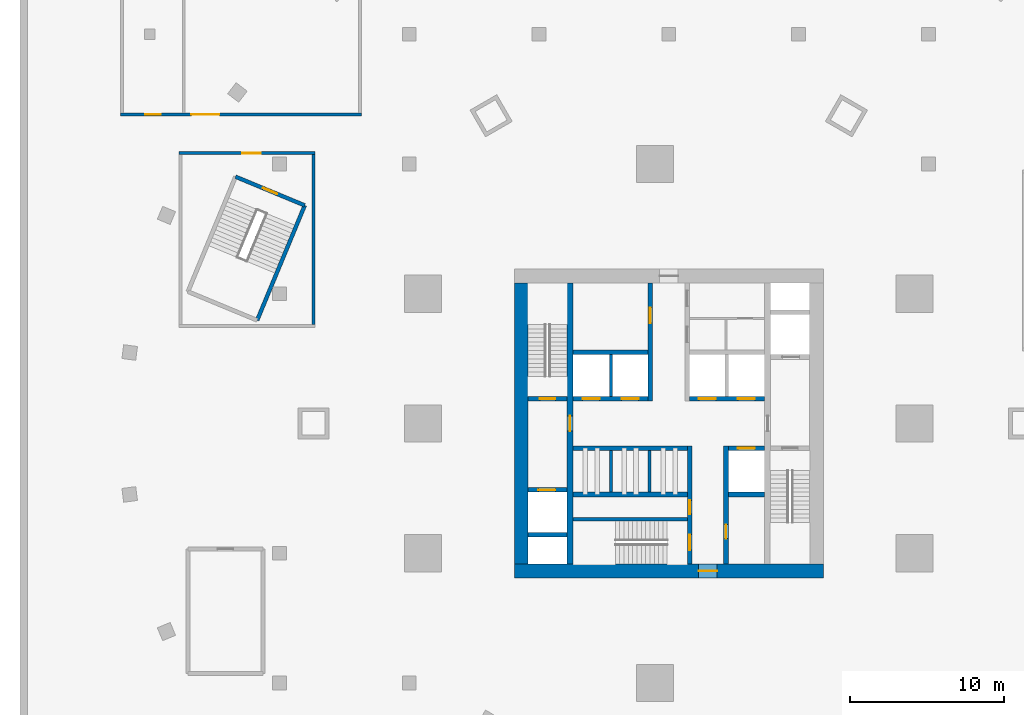
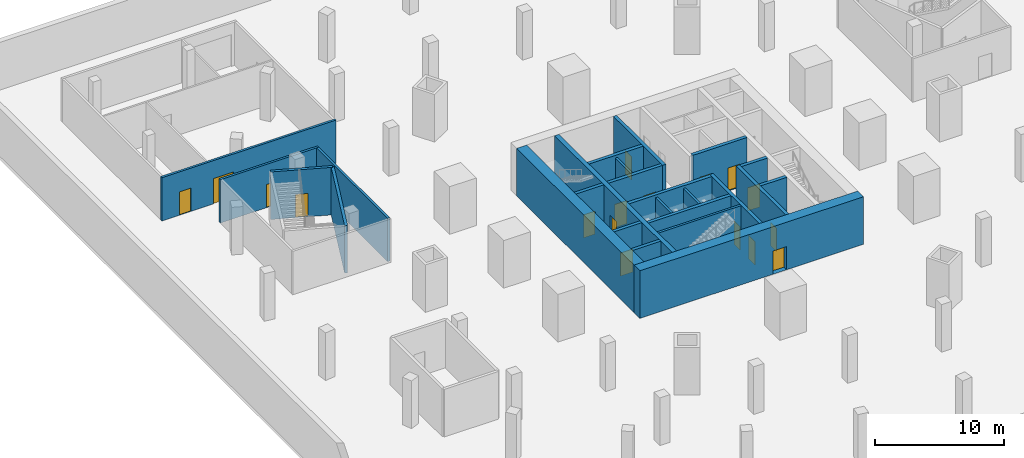
# One storey, part 3 of 9: 25 walls, 17 doors, 17 openings.
"""IFC4 building model written with IfcOpenShell, lengths in metres."""

from ifc_helpers import new_model, si_unit, direction, frame, frame_2d, origin, place, context, subcontext, project, spatial, rectangle, extrude, material, layer, layer_set, type_object, element, fill, save


model = new_model("IFC4")

# Units and contexts
model_context = context("Model", 3, precision=1e-05, world=origin(), true_north=direction((0.0, 1.0)))
body_context = subcontext(model_context, "Body", "Model", "MODEL_VIEW")
ifc_project = project(units=[si_unit("LENGTHUNIT", "METRE"), si_unit("AREAUNIT", "SQUARE_METRE"), si_unit("VOLUMEUNIT", "CUBIC_METRE"), si_unit("PLANEANGLEUNIT", "RADIAN"), si_unit("MASSUNIT", "GRAM", prefix="KILO")], contexts=[model_context])

# Site, building, storey
site_placement = place(None, origin())
site = spatial("IfcSite", under=ifc_project, at=site_placement, CompositionType="ELEMENT")
building_placement = place(site_placement, origin())
building = spatial("IfcBuilding", under=site, at=building_placement, Name="Golbaran Civic Tower", CompositionType="ELEMENT")
storey_placement = place(building_placement, frame((0.0, 0.0, -4.5)))
storey = spatial("IfcBuildingStorey", under=building, at=storey_placement, Name="B1", CompositionType="ELEMENT", Elevation=-4.5)

# Wall, openings, doors
ifc_material_1 = material(Name="Concrete block, fire-rated", Category="concrete")
ifc_layer_1 = layer(ifc_material_1, 0.199951171875, Name="Concrete block, fire-rated")
ifc_layer_set_1 = layer_set([ifc_layer_1], Name="Concrete block, fire-rated")
wall_type_1 = type_object("IfcWallType", Name="BASEMENT ROOM WALL 200", PredefinedType="PARTITIONING", material=ifc_layer_set_1)
wall_1_placement = place(storey_placement, frame((-35.5, 20.0, 0.0), z_axis=(0.0, 0.0, 1.0), x_axis=(1.0, 0.0, 0.0)))
wall_1 = element("IfcWall", 1, at=wall_1_placement, inside=storey, type_object=wall_type_1, Name="Loading Bay wall B1", PredefinedType="PARTITIONING", context=body_context, shape_type="SweptSolid", body=[
    extrude(rectangle(XDim=15.60009765625, YDim=0.199951171875, at=frame_2d((7.800048828125, 0.0))), origin(), (0.0, 0.0, 1.0), 4.10009765625),
])
opening_1_placement = place(wall_1_placement, frame((4.60009765625, 0.0, 0.0)))
opening_1 = element("IfcOpeningElement", 2, at=opening_1_placement, cuts=wall_1, Name="Opening B1.04", PredefinedType="OPENING", context=body_context, shape_type="SweptSolid", body=[
    extrude(rectangle(XDim=1.800048828125, YDim=2.39990234375, at=frame_2d((0.89990234375, 1.199951171875))), frame((0.0, 0.10986328125, 0.0), z_axis=(0.0, -1.0, 0.0), x_axis=(1.0, 0.0, 0.0)), (0.0, 0.0, 1.0), 0.219970703125),
])
opening_2_placement = place(wall_1_placement, frame((1.60009765625, 0.0, 0.0)))
opening_2 = element("IfcOpeningElement", 3, at=opening_2_placement, cuts=wall_1, Name="Opening B1.05", PredefinedType="OPENING", context=body_context, shape_type="SweptSolid", body=[
    extrude(rectangle(XDim=1.0, YDim=2.199951171875, at=frame_2d((0.5, 1.10009765625))), frame((0.0, 0.10986328125, 0.0), z_axis=(0.0, -1.0, 0.0), x_axis=(1.0, 0.0, 0.0)), (0.0, 0.0, 1.0), 0.219970703125),
])
ifc_material_2 = material(Name="Steel door set, fire-rated", Category="steel")
door_type_1 = type_object("IfcDoorType", Name="BASEMENT ROOM DOOR 1000x2200", OperationType="SINGLE_SWING_LEFT", PredefinedType="DOOR", material=ifc_material_2)
door_1_placement = place(opening_2_placement, origin())
door_1 = element("IfcDoor", 4, at=door_1_placement, inside=storey, type_object=door_type_1, Name="Loading Bay Store door B1", OperationType="SINGLE_SWING_LEFT", OverallHeight=2.199951171875, OverallWidth=1.0, PredefinedType="DOOR", context=body_context, shape_type="SweptSolid", body=[
    extrude(rectangle(XDim=1.0, YDim=2.199951171875, at=frame_2d((0.5, 1.10009765625))), frame((0.0, 0.02490234375, 0.0), z_axis=(0.0, -1.0, 0.0), x_axis=(1.0, 0.0, 0.0)), (0.0, 0.0, 1.0), 0.050048828125),
])
fill(opening_2, door_1)
door_type_2 = type_object("IfcDoorType", Name="BASEMENT ROOM DOUBLE DOOR 1800x2400", OperationType="DOUBLE_DOOR_SINGLE_SWING", PredefinedType="DOOR", material=ifc_material_2)
door_2_placement = place(opening_1_placement, origin())
door_2 = element("IfcDoor", 5, at=door_2_placement, inside=storey, type_object=door_type_2, Name="Goods Receiving Room door B1", OperationType="DOUBLE_DOOR_SINGLE_SWING", OverallHeight=2.39990234375, OverallWidth=1.800048828125, PredefinedType="DOOR", context=body_context, shape_type="SweptSolid", body=[
    extrude(rectangle(XDim=1.800048828125, YDim=2.39990234375, at=frame_2d((0.89990234375, 1.199951171875))), frame((0.0, 0.02490234375, 0.0), z_axis=(0.0, -1.0, 0.0), x_axis=(1.0, 0.0, 0.0)), (0.0, 0.0, 1.0), 0.050048828125),
])
fill(opening_1, door_2)

# Wall, opening, door
ifc_material_3 = material(Name="Concrete C50/60", Category="concrete")
ifc_layer_2 = layer(ifc_material_3, 0.39990234375, Name="Concrete C50/60")
ifc_layer_set_2 = layer_set([ifc_layer_2], Name="Concrete C50/60")
wall_type_2 = type_object("IfcWallType", Name="CORE WALL CONCRETE 400", PredefinedType="SOLIDWALL", material=ifc_layer_set_2)
wall_2_placement = place(storey_placement, frame((-6.39990234375, -9.10009765625, 0.0), z_axis=(0.0, 0.0, 1.0), x_axis=(0.0, 1.0, 0.0)))
wall_2 = element("IfcWall", 6, at=wall_2_placement, inside=storey, type_object=wall_type_2, Name="Core wall IW B1", PredefinedType="SOLIDWALL", context=body_context, shape_type="SweptSolid", body=[
    extrude(rectangle(XDim=18.2001953125, YDim=0.39990234375, at=frame_2d((9.10009765625, 0.0))), origin(), (0.0, 0.0, 1.0), 4.5),
])
opening_3_placement = place(wall_2_placement, frame((8.60009765625, 0.0, 0.0)))
opening_3 = element("IfcOpeningElement", 7, at=opening_3_placement, cuts=wall_2, Name="Opening B1.FL1", PredefinedType="OPENING", context=body_context, shape_type="SweptSolid", body=[
    extrude(rectangle(XDim=1.0, YDim=2.199951171875, at=frame_2d((0.5, 1.10009765625))), frame((0.0, 0.2099609375, 0.0), z_axis=(0.0, -1.0, 0.0), x_axis=(1.0, 0.0, 0.0)), (0.0, 0.0, 1.0), 0.419921875),
])
ifc_material_4 = material(Name="Timber door set in steel frame", Category="steel")
door_type_3 = type_object("IfcDoorType", Name="STAIR DOOR 1000x2200", OperationType="SINGLE_SWING_LEFT", PredefinedType="DOOR", material=ifc_material_4)
door_3_placement = place(opening_3_placement, origin())
door_3 = element("IfcDoor", 8, at=door_3_placement, inside=storey, type_object=door_type_3, Name="Fire-fighting lobby FL1 door", OperationType="SINGLE_SWING_LEFT", OverallHeight=2.199951171875, OverallWidth=1.0, PredefinedType="DOOR", context=body_context, shape_type="SweptSolid", body=[
    extrude(rectangle(XDim=1.0, YDim=2.199951171875, at=frame_2d((0.5, 1.10009765625))), frame((0.0, 0.02490234375, 0.0), z_axis=(0.0, -1.0, 0.0), x_axis=(1.0, 0.0, 0.0)), (0.0, 0.0, 1.0), 0.050048828125),
])
fill(opening_3, door_3)

ifc_layer_3 = layer(ifc_material_3, 0.89990234375, Name="Concrete C50/60")
ifc_layer_set_3 = layer_set([ifc_layer_3], Name="Concrete C50/60")
wall_type_3 = type_object("IfcWallType", Name="CORE WALL CONCRETE 900", PredefinedType="SOLIDWALL", material=ifc_layer_set_3)
wall_3_placement = place(storey_placement, frame((10.0, -9.550048828125, 0.0), z_axis=(0.0, 0.0, 1.0), x_axis=(-1.0, 0.0, 0.0)))
wall_3 = element("IfcWall", 9, at=wall_3_placement, inside=storey, type_object=wall_type_3, Name="Core wall CS B1", PredefinedType="SOLIDWALL", context=body_context, shape_type="SweptSolid", body=[
    extrude(rectangle(XDim=20.0, YDim=0.89990234375, at=frame_2d((10.0, 0.0))), origin(), (0.0, 0.0, 1.0), 4.5),
])
opening_4_placement = place(wall_3_placement, frame((6.875, 0.0, 0.0)))
opening_4 = element("IfcOpeningElement", 10, at=opening_4_placement, cuts=wall_3, Name="Opening B1.CS", PredefinedType="OPENING", context=body_context, shape_type="SweptSolid", body=[
    extrude(rectangle(XDim=1.199951171875, YDim=2.199951171875, at=frame_2d((0.60009765625, 1.10009765625))), frame((0.0, 0.4599609375, 0.0), z_axis=(0.0, -1.0, 0.0), x_axis=(1.0, 0.0, 0.0)), (0.0, 0.0, 1.0), 0.919921875),
])
door_type_4 = type_object("IfcDoorType", Name="CORE DOOR 1200x2200", OperationType="DOUBLE_DOOR_SINGLE_SWING", PredefinedType="DOOR", material=ifc_material_4)
door_4_placement = place(opening_4_placement, origin())
door_4 = element("IfcDoor", 11, at=door_4_placement, inside=storey, type_object=door_type_4, Name="Core door south", OperationType="DOUBLE_DOOR_SINGLE_SWING", OverallHeight=2.199951171875, OverallWidth=1.199951171875, PredefinedType="DOOR", context=body_context, shape_type="SweptSolid", body=[
    extrude(rectangle(XDim=1.199951171875, YDim=2.199951171875, at=frame_2d((0.60009765625, 1.10009765625))), frame((0.0, 0.02490234375, 0.0), z_axis=(0.0, -1.0, 0.0), x_axis=(1.0, 0.0, 0.0)), (0.0, 0.0, 1.0), 0.050048828125),
])
fill(opening_4, door_4)

# Walls
wall_4_placement = place(storey_placement, frame((-9.550048828125, 9.10009765625, 0.0), z_axis=(0.0, 0.0, 1.0), x_axis=(0.0, -1.0, 0.0)))
element("IfcWall", 12, at=wall_4_placement, inside=storey, type_object=wall_type_3, Name="Core wall CW B1", PredefinedType="SOLIDWALL", context=body_context, shape_type="SweptSolid", body=[
    extrude(rectangle(XDim=18.2001953125, YDim=0.89990234375, at=frame_2d((9.10009765625, 0.0))), origin(), (0.0, 0.0, 1.0), 4.5),
])
ifc_material_5 = material(Name="Concrete block", Category="concrete")
ifc_layer_4 = layer(ifc_material_5, 0.199951171875, Name="Concrete block")
ifc_layer_set_4 = layer_set([ifc_layer_4], Name="Concrete block")
wall_type_4 = type_object("IfcWallType", Name="LIFT SEPARATOR WALL 200", PredefinedType="SOLIDWALL", material=ifc_layer_set_4)
for number, where, z_axis, x_axis, name in (
    (13, (-3.75, 1.75, 0.0), (0.0, 0.0, 1.0), (0.0, 1.0, 0.0), "Core partition SNW B1"),
    (14, (-3.75, -1.75, 0.0), (0.0, 0.0, 1.0), (0.0, -1.0, 0.0), "Core partition SSW B1"),
    (15, (-1.25, -1.75, 0.0), (0.0, 0.0, 1.0), (0.0, -1.0, 0.0), "Core partition SSM B1"),
):
    element("IfcWall", number, at=place(storey_placement, frame(where, z_axis=z_axis, x_axis=x_axis)), inside=storey, type_object=wall_type_4, Name=name, PredefinedType="SOLIDWALL", context=body_context, shape_type="SweptSolid", body=[
        extrude(rectangle(XDim=2.699951171875, YDim=0.199951171875, at=frame_2d((1.35009765625, 0.0))), origin(), (0.0, 0.0, 1.0), 4.25),
    ])
ifc_layer_5 = layer(ifc_material_3, 0.199951171875, Name="Concrete C50/60")
ifc_layer_set_5 = layer_set([ifc_layer_5], Name="Concrete C50/60")
wall_type_5 = type_object("IfcWallType", Name="SHAFT WALL CONCRETE 200", PredefinedType="SOLIDWALL", material=ifc_layer_set_5)
wall_5_placement = place(storey_placement, frame((-6.199951171875, -6.199951171875, 0.0), z_axis=(0.0, 0.0, 1.0), x_axis=(1.0, 0.0, 0.0)))
element("IfcWall", 16, at=wall_5_placement, inside=storey, type_object=wall_type_5, Name="Core wall S3N B1", PredefinedType="SOLIDWALL", context=body_context, shape_type="SweptSolid", body=[
    extrude(rectangle(XDim=7.39990234375, YDim=0.199951171875, at=frame_2d((3.699951171875, 0.0))), origin(), (0.0, 0.0, 1.0), 4.5),
])

# Wall, openings, doors
ifc_layer_6 = layer(ifc_material_3, 0.300048828125, Name="Concrete C50/60")
ifc_layer_set_6 = layer_set([ifc_layer_6], Name="Concrete C50/60")
wall_type_6 = type_object("IfcWallType", Name="SHAFT WALL CONCRETE 300", PredefinedType="SOLIDWALL", material=ifc_layer_set_6)
wall_6_placement = place(storey_placement, frame((-6.199951171875, 1.60009765625, 0.0), z_axis=(0.0, 0.0, 1.0), x_axis=(1.0, 0.0, 0.0)))
wall_6 = element("IfcWall", 17, at=wall_6_placement, inside=storey, type_object=wall_type_6, Name="Core wall FNW B1", PredefinedType="SOLIDWALL", context=body_context, shape_type="SweptSolid", body=[
    extrude(rectangle(XDim=4.849853515625, YDim=0.300048828125, at=frame_2d((2.4248046875, 0.0))), origin(), (0.0, 0.0, 1.0), 4.5),
])
opening_5_placement = place(wall_6_placement, frame((0.625, 0.0, 0.0)))
opening_5 = element("IfcOpeningElement", 18, at=opening_5_placement, cuts=wall_6, Name="Opening B1.LD-Z1L", PredefinedType="OPENING", context=body_context, shape_type="SweptSolid", body=[
    extrude(rectangle(XDim=1.10009765625, YDim=2.199951171875, at=frame_2d((0.550048828125, 1.10009765625))), frame((0.0, 0.159912109375, 0.0), z_axis=(0.0, -1.0, 0.0), x_axis=(1.0, 0.0, 0.0)), (0.0, 0.0, 1.0), 0.320068359375),
])
opening_6_placement = place(wall_6_placement, frame((3.14990234375, 0.0, 0.0)))
opening_6 = element("IfcOpeningElement", 19, at=opening_6_placement, cuts=wall_6, Name="Opening B1.LD-Z2L", PredefinedType="OPENING", context=body_context, shape_type="SweptSolid", body=[
    extrude(rectangle(XDim=1.10009765625, YDim=2.199951171875, at=frame_2d((0.550048828125, 1.10009765625))), frame((0.0, 0.159912109375, 0.0), z_axis=(0.0, -1.0, 0.0), x_axis=(1.0, 0.0, 0.0)), (0.0, 0.0, 1.0), 0.320068359375),
])
ifc_material_6 = material(Name="Stainless steel", Category="steel")
door_type_5 = type_object("IfcDoorType", Name="LIFT LANDING DOOR 1100x2200", OperationType="SLIDING_TO_LEFT", PredefinedType="DOOR", material=ifc_material_6)
door_5_placement = place(opening_5_placement, origin())
door_5 = element("IfcDoor", 20, at=door_5_placement, inside=storey, type_object=door_type_5, Name="Lift landing door Z1L", OperationType="SLIDING_TO_LEFT", OverallHeight=2.199951171875, OverallWidth=1.10009765625, PredefinedType="DOOR", context=body_context, shape_type="SweptSolid", body=[
    extrude(rectangle(XDim=1.10009765625, YDim=2.199951171875, at=frame_2d((0.550048828125, 1.10009765625))), frame((0.0, 0.02490234375, 0.0), z_axis=(0.0, -1.0, 0.0), x_axis=(1.0, 0.0, 0.0)), (0.0, 0.0, 1.0), 0.050048828125),
])
fill(opening_5, door_5)
door_6_placement = place(opening_6_placement, origin())
door_6 = element("IfcDoor", 21, at=door_6_placement, inside=storey, type_object=door_type_5, Name="Lift landing door Z2L", OperationType="SLIDING_TO_LEFT", OverallHeight=2.199951171875, OverallWidth=1.10009765625, PredefinedType="DOOR", context=body_context, shape_type="SweptSolid", body=[
    extrude(rectangle(XDim=1.10009765625, YDim=2.199951171875, at=frame_2d((0.550048828125, 1.10009765625))), frame((0.0, 0.02490234375, 0.0), z_axis=(0.0, -1.0, 0.0), x_axis=(1.0, 0.0, 0.0)), (0.0, 0.0, 1.0), 0.050048828125),
])
fill(opening_6, door_6)

wall_7_placement = place(storey_placement, frame((1.35009765625, 1.60009765625, 0.0), z_axis=(0.0, 0.0, 1.0), x_axis=(1.0, 0.0, 0.0)))
wall_7 = element("IfcWall", 22, at=wall_7_placement, inside=storey, type_object=wall_type_6, Name="Core wall FNE B1", PredefinedType="SOLIDWALL", context=body_context, shape_type="SweptSolid", body=[
    extrude(rectangle(XDim=4.849853515625, YDim=0.300048828125, at=frame_2d((2.4248046875, 0.0))), origin(), (0.0, 0.0, 1.0), 4.5),
])
opening_7_placement = place(wall_7_placement, frame((0.60009765625, 0.0, 0.0)))
opening_7 = element("IfcOpeningElement", 23, at=opening_7_placement, cuts=wall_7, Name="Opening B1.LD-Z3L", PredefinedType="OPENING", context=body_context, shape_type="SweptSolid", body=[
    extrude(rectangle(XDim=1.10009765625, YDim=2.199951171875, at=frame_2d((0.550048828125, 1.10009765625))), frame((0.0, 0.159912109375, 0.0), z_axis=(0.0, -1.0, 0.0), x_axis=(1.0, 0.0, 0.0)), (0.0, 0.0, 1.0), 0.320068359375),
])
opening_8_placement = place(wall_7_placement, frame((3.125, 0.0, 0.0)))
opening_8 = element("IfcOpeningElement", 24, at=opening_8_placement, cuts=wall_7, Name="Opening B1.LD-Z4L", PredefinedType="OPENING", context=body_context, shape_type="SweptSolid", body=[
    extrude(rectangle(XDim=1.10009765625, YDim=2.199951171875, at=frame_2d((0.550048828125, 1.10009765625))), frame((0.0, 0.159912109375, 0.0), z_axis=(0.0, -1.0, 0.0), x_axis=(1.0, 0.0, 0.0)), (0.0, 0.0, 1.0), 0.320068359375),
])
door_7_placement = place(opening_7_placement, origin())
door_7 = element("IfcDoor", 25, at=door_7_placement, inside=storey, type_object=door_type_5, Name="Lift landing door Z3L", OperationType="SLIDING_TO_LEFT", OverallHeight=2.199951171875, OverallWidth=1.10009765625, PredefinedType="DOOR", context=body_context, shape_type="SweptSolid", body=[
    extrude(rectangle(XDim=1.10009765625, YDim=2.199951171875, at=frame_2d((0.550048828125, 1.10009765625))), frame((0.0, 0.02490234375, 0.0), z_axis=(0.0, -1.0, 0.0), x_axis=(1.0, 0.0, 0.0)), (0.0, 0.0, 1.0), 0.050048828125),
])
fill(opening_7, door_7)
door_8_placement = place(opening_8_placement, origin())
door_8 = element("IfcDoor", 26, at=door_8_placement, inside=storey, type_object=door_type_5, Name="Lift landing door Z4L", OperationType="SLIDING_TO_LEFT", OverallHeight=2.199951171875, OverallWidth=1.10009765625, PredefinedType="DOOR", context=body_context, shape_type="SweptSolid", body=[
    extrude(rectangle(XDim=1.10009765625, YDim=2.199951171875, at=frame_2d((0.550048828125, 1.10009765625))), frame((0.0, 0.02490234375, 0.0), z_axis=(0.0, -1.0, 0.0), x_axis=(1.0, 0.0, 0.0)), (0.0, 0.0, 1.0), 0.050048828125),
])
fill(opening_8, door_8)

# Wall
wall_8_placement = place(storey_placement, frame((-6.199951171875, 4.60009765625, 0.0), z_axis=(0.0, 0.0, 1.0), x_axis=(1.0, 0.0, 0.0)))
element("IfcWall", 27, at=wall_8_placement, inside=storey, type_object=wall_type_6, Name="Core wall BNW B1", PredefinedType="SOLIDWALL", context=body_context, shape_type="SweptSolid", body=[
    extrude(rectangle(XDim=4.849853515625, YDim=0.300048828125, at=frame_2d((2.4248046875, 0.0))), origin(), (0.0, 0.0, 1.0), 4.5),
])

# Wall, opening, door
wall_9_placement = place(storey_placement, frame((-1.199951171875, 1.449951171875, 0.0), z_axis=(0.0, 0.0, 1.0), x_axis=(0.0, 1.0, 0.0)))
wall_9 = element("IfcWall", 28, at=wall_9_placement, inside=storey, type_object=wall_type_6, Name="Core wall PNW B1", PredefinedType="SOLIDWALL", context=body_context, shape_type="SweptSolid", body=[
    extrude(rectangle(XDim=7.650146484375, YDim=0.300048828125, at=frame_2d((3.8251953125, 0.0))), origin(), (0.0, 0.0, 1.0), 4.5),
])
opening_9_placement = place(wall_9_placement, frame((5.050048828125, 0.0, 0.0)))
opening_9 = element("IfcOpeningElement", 29, at=opening_9_placement, cuts=wall_9, Name="Opening B1.WCM", PredefinedType="OPENING", context=body_context, shape_type="SweptSolid", body=[
    extrude(rectangle(XDim=1.0, YDim=2.199951171875, at=frame_2d((0.5, 1.10009765625))), frame((0.0, 0.159912109375, 0.0), z_axis=(0.0, -1.0, 0.0), x_axis=(1.0, 0.0, 0.0)), (0.0, 0.0, 1.0), 0.320068359375),
])
door_type_6 = type_object("IfcDoorType", Name="TOILET DOOR 1000x2200", OperationType="SINGLE_SWING_LEFT", PredefinedType="DOOR", material=ifc_material_4)
door_9_placement = place(opening_9_placement, origin())
door_9 = element("IfcDoor", 30, at=door_9_placement, inside=storey, type_object=door_type_6, Name="North-west toilet block door", OperationType="SINGLE_SWING_RIGHT", OverallHeight=2.199951171875, OverallWidth=1.0, PredefinedType="DOOR", context=body_context, shape_type="SweptSolid", body=[
    extrude(rectangle(XDim=1.0, YDim=2.199951171875, at=frame_2d((0.5, 1.10009765625))), frame((0.0, 0.02490234375, 0.0), z_axis=(0.0, -1.0, 0.0), x_axis=(1.0, 0.0, 0.0)), (0.0, 0.0, 1.0), 0.050048828125),
])
fill(opening_9, door_9)

# Wall
wall_10_placement = place(storey_placement, frame((-6.199951171875, -1.60009765625, 0.0), z_axis=(0.0, 0.0, 1.0), x_axis=(1.0, 0.0, 0.0)))
element("IfcWall", 31, at=wall_10_placement, inside=storey, type_object=wall_type_6, Name="Core wall FSW B1", PredefinedType="SOLIDWALL", context=body_context, shape_type="SweptSolid", body=[
    extrude(rectangle(XDim=7.39990234375, YDim=0.300048828125, at=frame_2d((3.699951171875, 0.0))), origin(), (0.0, 0.0, 1.0), 4.5),
])

# Wall, opening, door
wall_11_placement = place(storey_placement, frame((3.85009765625, -1.60009765625, 0.0), z_axis=(0.0, 0.0, 1.0), x_axis=(1.0, 0.0, 0.0)))
wall_11 = element("IfcWall", 32, at=wall_11_placement, inside=storey, type_object=wall_type_6, Name="Core wall FSE B1", PredefinedType="SOLIDWALL", context=body_context, shape_type="SweptSolid", body=[
    extrude(rectangle(XDim=2.349853515625, YDim=0.300048828125, at=frame_2d((1.1748046875, 0.0))), origin(), (0.0, 0.0, 1.0), 4.5),
])
opening_10_placement = place(wall_11_placement, frame((0.625, 0.0, 0.0)))
opening_10 = element("IfcOpeningElement", 33, at=opening_10_placement, cuts=wall_11, Name="Opening B1.LD-V1", PredefinedType="OPENING", context=body_context, shape_type="SweptSolid", body=[
    extrude(rectangle(XDim=1.10009765625, YDim=2.199951171875, at=frame_2d((0.550048828125, 1.10009765625))), frame((0.0, 0.159912109375, 0.0), z_axis=(0.0, -1.0, 0.0), x_axis=(1.0, 0.0, 0.0)), (0.0, 0.0, 1.0), 0.320068359375),
])
door_10_placement = place(opening_10_placement, origin())
door_10 = element("IfcDoor", 34, at=door_10_placement, inside=storey, type_object=door_type_5, Name="Lift landing door V1", OperationType="SLIDING_TO_LEFT", OverallHeight=2.199951171875, OverallWidth=1.10009765625, PredefinedType="DOOR", context=body_context, shape_type="SweptSolid", body=[
    extrude(rectangle(XDim=1.10009765625, YDim=2.199951171875, at=frame_2d((0.550048828125, 1.10009765625))), frame((0.0, 0.02490234375, 0.0), z_axis=(0.0, -1.0, 0.0), x_axis=(1.0, 0.0, 0.0)), (0.0, 0.0, 1.0), 0.050048828125),
])
fill(opening_10, door_10)

# Walls
wall_12_placement = place(storey_placement, frame((-6.199951171875, -4.60009765625, 0.0), z_axis=(0.0, 0.0, 1.0), x_axis=(1.0, 0.0, 0.0)))
element("IfcWall", 35, at=wall_12_placement, inside=storey, type_object=wall_type_6, Name="Core wall BSW B1", PredefinedType="SOLIDWALL", context=body_context, shape_type="SweptSolid", body=[
    extrude(rectangle(XDim=7.39990234375, YDim=0.300048828125, at=frame_2d((3.699951171875, 0.0))), origin(), (0.0, 0.0, 1.0), 4.5),
])
wall_13_placement = place(storey_placement, frame((3.85009765625, -4.60009765625, 0.0), z_axis=(0.0, 0.0, 1.0), x_axis=(1.0, 0.0, 0.0)))
element("IfcWall", 36, at=wall_13_placement, inside=storey, type_object=wall_type_6, Name="Core wall BSE B1", PredefinedType="SOLIDWALL", context=body_context, shape_type="SweptSolid", body=[
    extrude(rectangle(XDim=2.349853515625, YDim=0.300048828125, at=frame_2d((1.1748046875, 0.0))), origin(), (0.0, 0.0, 1.0), 4.5),
])

# Wall, openings, doors
wall_14_placement = place(storey_placement, frame((1.35009765625, -1.449951171875, 0.0), z_axis=(0.0, 0.0, 1.0), x_axis=(0.0, -1.0, 0.0)))
wall_14 = element("IfcWall", 37, at=wall_14_placement, inside=storey, type_object=wall_type_6, Name="Core wall PSW B1", PredefinedType="SOLIDWALL", context=body_context, shape_type="SweptSolid", body=[
    extrude(rectangle(XDim=7.650146484375, YDim=0.300048828125, at=frame_2d((3.8251953125, 0.0))), origin(), (0.0, 0.0, 1.0), 4.5),
])
opening_11_placement = place(wall_14_placement, frame((5.75, 0.0, 0.0)))
opening_11 = element("IfcOpeningElement", 38, at=opening_11_placement, cuts=wall_14, Name="Opening B1.S3", PredefinedType="OPENING", context=body_context, shape_type="SweptSolid", body=[
    extrude(rectangle(XDim=1.0, YDim=2.199951171875, at=frame_2d((0.5, 1.10009765625))), frame((0.0, 0.159912109375, 0.0), z_axis=(0.0, -1.0, 0.0), x_axis=(1.0, 0.0, 0.0)), (0.0, 0.0, 1.0), 0.320068359375),
])
opening_12_placement = place(wall_14_placement, frame((3.52490234375, 0.0, 0.0)))
opening_12 = element("IfcOpeningElement", 39, at=opening_12_placement, cuts=wall_14, Name="Opening B1.RE", PredefinedType="OPENING", context=body_context, shape_type="SweptSolid", body=[
    extrude(rectangle(XDim=0.89990234375, YDim=2.199951171875, at=frame_2d((0.449951171875, 1.10009765625))), frame((0.0, 0.159912109375, 0.0), z_axis=(0.0, -1.0, 0.0), x_axis=(1.0, 0.0, 0.0)), (0.0, 0.0, 1.0), 0.320068359375),
])
door_type_7 = type_object("IfcDoorType", Name="RISER DOOR 900x2200", OperationType="SINGLE_SWING_LEFT", PredefinedType="DOOR", material=ifc_material_4)
door_11_placement = place(opening_12_placement, origin())
door_11 = element("IfcDoor", 40, at=door_11_placement, inside=storey, type_object=door_type_7, Name="Electrical riser door", OperationType="SINGLE_SWING_RIGHT", OverallHeight=2.199951171875, OverallWidth=0.89990234375, PredefinedType="DOOR", context=body_context, shape_type="SweptSolid", body=[
    extrude(rectangle(XDim=0.89990234375, YDim=2.199951171875, at=frame_2d((0.449951171875, 1.10009765625))), frame((0.0, 0.02490234375, 0.0), z_axis=(0.0, -1.0, 0.0), x_axis=(1.0, 0.0, 0.0)), (0.0, 0.0, 1.0), 0.050048828125),
])
fill(opening_12, door_11)
door_12_placement = place(opening_11_placement, origin())
door_12 = element("IfcDoor", 41, at=door_12_placement, inside=storey, type_object=door_type_3, Name="Stair S3 door", OperationType="SINGLE_SWING_RIGHT", OverallHeight=2.199951171875, OverallWidth=1.0, PredefinedType="DOOR", context=body_context, shape_type="SweptSolid", body=[
    extrude(rectangle(XDim=1.0, YDim=2.199951171875, at=frame_2d((0.5, 1.10009765625))), frame((0.0, 0.02490234375, 0.0), z_axis=(0.0, -1.0, 0.0), x_axis=(1.0, 0.0, 0.0)), (0.0, 0.0, 1.0), 0.050048828125),
])
fill(opening_11, door_12)

# Wall, opening, door
wall_15_placement = place(storey_placement, frame((3.699951171875, -1.449951171875, 0.0), z_axis=(0.0, 0.0, 1.0), x_axis=(0.0, -1.0, 0.0)))
wall_15 = element("IfcWall", 42, at=wall_15_placement, inside=storey, type_object=wall_type_6, Name="Core wall PSE B1", PredefinedType="SOLIDWALL", context=body_context, shape_type="SweptSolid", body=[
    extrude(rectangle(XDim=7.650146484375, YDim=0.300048828125, at=frame_2d((3.8251953125, 0.0))), origin(), (0.0, 0.0, 1.0), 4.5),
])
opening_13_placement = place(wall_15_placement, frame((5.10009765625, 0.0, 0.0)))
opening_13 = element("IfcOpeningElement", 43, at=opening_13_placement, cuts=wall_15, Name="Opening B1.RM", PredefinedType="OPENING", context=body_context, shape_type="SweptSolid", body=[
    extrude(rectangle(XDim=0.89990234375, YDim=2.199951171875, at=frame_2d((0.449951171875, 1.10009765625))), frame((0.0, 0.159912109375, 0.0), z_axis=(0.0, -1.0, 0.0), x_axis=(1.0, 0.0, 0.0)), (0.0, 0.0, 1.0), 0.320068359375),
])
door_13_placement = place(opening_13_placement, origin())
door_13 = element("IfcDoor", 44, at=door_13_placement, inside=storey, type_object=door_type_7, Name="Mechanical riser door", OperationType="SINGLE_SWING_RIGHT", OverallHeight=2.199951171875, OverallWidth=0.89990234375, PredefinedType="DOOR", context=body_context, shape_type="SweptSolid", body=[
    extrude(rectangle(XDim=0.89990234375, YDim=2.199951171875, at=frame_2d((0.449951171875, 1.10009765625))), frame((0.0, 0.02490234375, 0.0), z_axis=(0.0, -1.0, 0.0), x_axis=(1.0, 0.0, 0.0)), (0.0, 0.0, 1.0), 0.050048828125),
])
fill(opening_13, door_13)

wall_16_placement = place(storey_placement, frame((-9.10009765625, 1.60009765625, 0.0), z_axis=(0.0, 0.0, 1.0), x_axis=(1.0, 0.0, 0.0)))
wall_16 = element("IfcWall", 45, at=wall_16_placement, inside=storey, type_object=wall_type_6, Name="Core wall XW1 B1", PredefinedType="SOLIDWALL", context=body_context, shape_type="SweptSolid", body=[
    extrude(rectangle(XDim=2.5, YDim=0.300048828125, at=frame_2d((1.25, 0.0))), origin(), (0.0, 0.0, 1.0), 4.5),
])
opening_14_placement = place(wall_16_placement, frame((0.75, 0.0, 0.0)))
opening_14 = element("IfcOpeningElement", 46, at=opening_14_placement, cuts=wall_16, Name="Opening B1.S1", PredefinedType="OPENING", context=body_context, shape_type="SweptSolid", body=[
    extrude(rectangle(XDim=1.0, YDim=2.199951171875, at=frame_2d((0.5, 1.10009765625))), frame((0.0, 0.159912109375, 0.0), z_axis=(0.0, -1.0, 0.0), x_axis=(1.0, 0.0, 0.0)), (0.0, 0.0, 1.0), 0.320068359375),
])
door_14_placement = place(opening_14_placement, origin())
door_14 = element("IfcDoor", 47, at=door_14_placement, inside=storey, type_object=door_type_3, Name="Stair S1 door", OperationType="SINGLE_SWING_LEFT", OverallHeight=2.199951171875, OverallWidth=1.0, PredefinedType="DOOR", context=body_context, shape_type="SweptSolid", body=[
    extrude(rectangle(XDim=1.0, YDim=2.199951171875, at=frame_2d((0.5, 1.10009765625))), frame((0.0, 0.02490234375, 0.0), z_axis=(0.0, -1.0, 0.0), x_axis=(1.0, 0.0, 0.0)), (0.0, 0.0, 1.0), 0.050048828125),
])
fill(opening_14, door_14)

wall_17_placement = place(storey_placement, frame((-9.10009765625, -4.300048828125, 0.0), z_axis=(0.0, 0.0, 1.0), x_axis=(1.0, 0.0, 0.0)))
wall_17 = element("IfcWall", 48, at=wall_17_placement, inside=storey, type_object=wall_type_6, Name="Core wall XW2 B1", PredefinedType="SOLIDWALL", context=body_context, shape_type="SweptSolid", body=[
    extrude(rectangle(XDim=2.5, YDim=0.300048828125, at=frame_2d((1.25, 0.0))), origin(), (0.0, 0.0, 1.0), 4.5),
])
opening_15_placement = place(wall_17_placement, frame((0.64990234375, 0.0, 0.0)))
opening_15 = element("IfcOpeningElement", 49, at=opening_15_placement, cuts=wall_17, Name="Opening B1.LD-F1", PredefinedType="OPENING", context=body_context, shape_type="SweptSolid", body=[
    extrude(rectangle(XDim=1.10009765625, YDim=2.199951171875, at=frame_2d((0.550048828125, 1.10009765625))), frame((0.0, 0.159912109375, 0.0), z_axis=(0.0, -1.0, 0.0), x_axis=(1.0, 0.0, 0.0)), (0.0, 0.0, 1.0), 0.320068359375),
])
door_15_placement = place(opening_15_placement, origin())
door_15 = element("IfcDoor", 50, at=door_15_placement, inside=storey, type_object=door_type_5, Name="Lift landing door F1", OperationType="SLIDING_TO_LEFT", OverallHeight=2.199951171875, OverallWidth=1.10009765625, PredefinedType="DOOR", context=body_context, shape_type="SweptSolid", body=[
    extrude(rectangle(XDim=1.10009765625, YDim=2.199951171875, at=frame_2d((0.550048828125, 1.10009765625))), frame((0.0, 0.02490234375, 0.0), z_axis=(0.0, -1.0, 0.0), x_axis=(1.0, 0.0, 0.0)), (0.0, 0.0, 1.0), 0.050048828125),
])
fill(opening_15, door_15)

# Wall
wall_18_placement = place(storey_placement, frame((-9.10009765625, -7.199951171875, 0.0), z_axis=(0.0, 0.0, 1.0), x_axis=(1.0, 0.0, 0.0)))
element("IfcWall", 51, at=wall_18_placement, inside=storey, type_object=wall_type_6, Name="Core wall XW3 B1", PredefinedType="SOLIDWALL", context=body_context, shape_type="SweptSolid", body=[
    extrude(rectangle(XDim=2.5, YDim=0.300048828125, at=frame_2d((1.25, 0.0))), origin(), (0.0, 0.0, 1.0), 4.5),
])

# Wall, opening, door
ifc_layer_7 = layer(ifc_material_3, 0.25, Name="Concrete C50/60")
ifc_layer_set_7 = layer_set([ifc_layer_7], Name="Concrete C50/60")
wall_type_7 = type_object("IfcWallType", Name="STAIR ENCLOSURE WALL CONCRETE 250", PredefinedType="SOLIDWALL", material=ifc_layer_set_7)
wall_19_placement = place(storey_placement, frame((-28.046875, 15.97412109375, 0.0), z_axis=(0.0, 0.0, 1.0), x_axis=(0.923862828997, -0.382723755727, 0.0)))
wall_19 = element("IfcWall", 52, at=wall_19_placement, inside=storey, type_object=wall_type_7, Name="Stair P2 enclosure A B1", PredefinedType="SOLIDWALL", context=body_context, shape_type="SweptSolid", body=[
    extrude(rectangle(XDim=4.85009765625, YDim=0.25, at=frame_2d((2.425048828125, 0.0))), origin(), (0.0, 0.0, 1.0), 4.5),
])
opening_16_placement = place(wall_19_placement, frame((1.925048828125, 0.0, 0.0)))
opening_16 = element("IfcOpeningElement", 53, at=opening_16_placement, cuts=wall_19, Name="Opening B1.P2", PredefinedType="OPENING", context=body_context, shape_type="SweptSolid", body=[
    extrude(rectangle(XDim=1.0, YDim=2.199951171875, at=frame_2d((0.5, 1.10009765625))), frame((0.0, 0.135009765625, 0.0), z_axis=(0.0, -1.0, 0.0), x_axis=(1.0, 0.0, 0.0)), (0.0, 0.0, 1.0), 0.27001953125),
])
door_16_placement = place(opening_16_placement, origin())
door_16 = element("IfcDoor", 54, at=door_16_placement, inside=storey, type_object=door_type_3, Name="Stair P2 door", OperationType="SINGLE_SWING_LEFT", OverallHeight=2.199951171875, OverallWidth=1.0, PredefinedType="DOOR", context=body_context, shape_type="SweptSolid", body=[
    extrude(rectangle(XDim=1.0, YDim=2.199951171875, at=frame_2d((0.5, 1.10009765625))), frame((0.0, 0.02490234375, 0.0), z_axis=(0.0, -1.0, 0.0), x_axis=(1.0, 0.0, 0.0)), (0.0, 0.0, 1.0), 0.050048828125),
])
fill(opening_16, door_16)

# Walls
wall_20_placement = place(storey_placement, frame((-23.566162109375, 14.117919921875, 0.0), z_axis=(0.0, 0.0, 1.0), x_axis=(-0.382689294869, -0.923877104161, 0.0)))
element("IfcWall", 55, at=wall_20_placement, inside=storey, type_object=wall_type_7, Name="Stair P2 enclosure B B1", PredefinedType="SOLIDWALL", context=body_context, shape_type="SweptSolid", body=[
    extrude(rectangle(XDim=8.0498046875, YDim=0.25, at=frame_2d((4.02490234375, 0.0))), origin(), (0.0, 0.0, 1.0), 4.5),
])
ifc_material_7 = material(Name="Reinforced blockwork, fire-rated", Category="masonry")
ifc_layer_8 = layer(ifc_material_7, 0.199951171875, Name="Reinforced blockwork, fire-rated")
ifc_layer_set_8 = layer_set([ifc_layer_8], Name="Reinforced blockwork, fire-rated")
wall_type_8 = type_object("IfcWallType", Name="STAIR LOBBY WALL 200", PredefinedType="PARTITIONING", material=ifc_layer_set_8)
wall_21_placement = place(storey_placement, frame((-23.0, 6.39990234375, 0.0), z_axis=(0.0, 0.0, 1.0), x_axis=(0.0, 1.0, 0.0)))
element("IfcWall", 56, at=wall_21_placement, inside=storey, type_object=wall_type_8, Name="Stair P2 lobby wall B1", PredefinedType="PARTITIONING", context=body_context, shape_type="SweptSolid", body=[
    extrude(rectangle(XDim=11.0, YDim=0.199951171875, at=frame_2d((5.5, 0.0))), origin(), (0.0, 0.0, 1.0), 4.10009765625),
])

# Wall, opening, door
wall_22_placement = place(storey_placement, frame((-22.89990234375, 17.5, 0.0), z_axis=(0.0, 0.0, 1.0), x_axis=(-1.0, 0.0, 0.0)))
wall_22 = element("IfcWall", 57, at=wall_22_placement, inside=storey, type_object=wall_type_8, Name="Stair P2 lobby wall B1", PredefinedType="PARTITIONING", context=body_context, shape_type="SweptSolid", body=[
    extrude(rectangle(XDim=8.800048828125, YDim=0.199951171875, at=frame_2d((4.39990234375, 0.0))), origin(), (0.0, 0.0, 1.0), 4.10009765625),
])
opening_17_placement = place(wall_22_placement, frame((3.5, 0.0, 0.0)))
opening_17 = element("IfcOpeningElement", 58, at=opening_17_placement, cuts=wall_22, Name="Opening B1.07", PredefinedType="OPENING", context=body_context, shape_type="SweptSolid", body=[
    extrude(rectangle(XDim=1.199951171875, YDim=2.199951171875, at=frame_2d((0.60009765625, 1.10009765625))), frame((0.0, 0.10986328125, 0.0), z_axis=(0.0, -1.0, 0.0), x_axis=(1.0, 0.0, 0.0)), (0.0, 0.0, 1.0), 0.219970703125),
])
ifc_material_8 = material(Name="Steel door set, fire-rated, self-closing", Category="steel")
door_type_8 = type_object("IfcDoorType", Name="STAIR LOBBY FIRE DOOR 1200x2200", OperationType="SINGLE_SWING_LEFT", PredefinedType="DOOR", material=ifc_material_8)
door_17_placement = place(opening_17_placement, origin())
door_17 = element("IfcDoor", 59, at=door_17_placement, inside=storey, type_object=door_type_8, Name="Stair P2 lobby door B1", OperationType="SINGLE_SWING_LEFT", OverallHeight=2.199951171875, OverallWidth=1.199951171875, PredefinedType="DOOR", context=body_context, shape_type="SweptSolid", body=[
    extrude(rectangle(XDim=1.199951171875, YDim=2.199951171875, at=frame_2d((0.60009765625, 1.10009765625))), frame((0.0, 0.02490234375, 0.0), z_axis=(0.0, -1.0, 0.0), x_axis=(1.0, 0.0, 0.0)), (0.0, 0.0, 1.0), 0.050048828125),
])
fill(opening_17, door_17)

save(model, "model.ifc")
